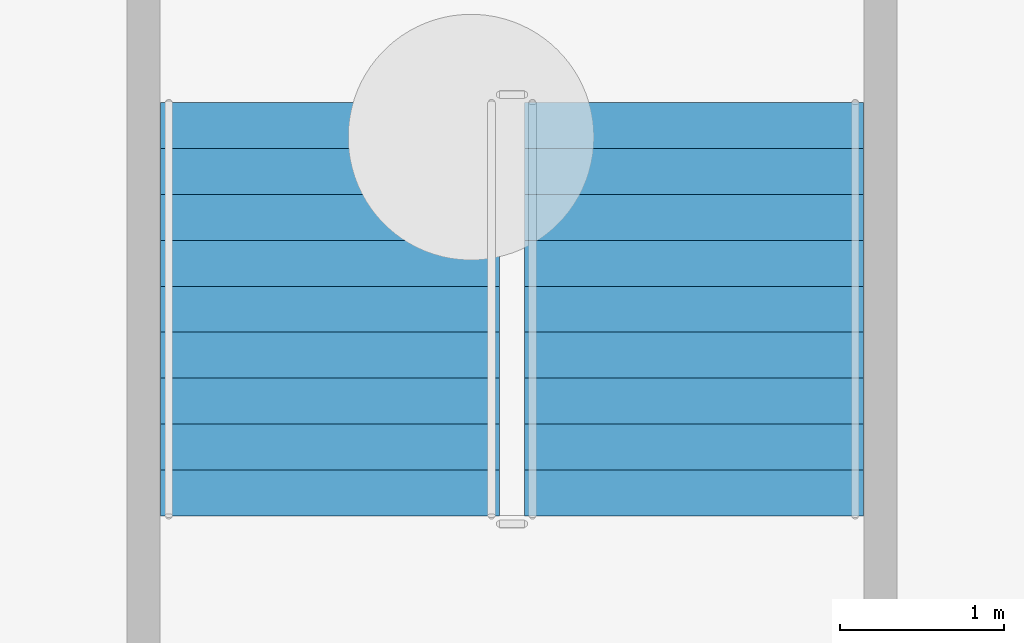
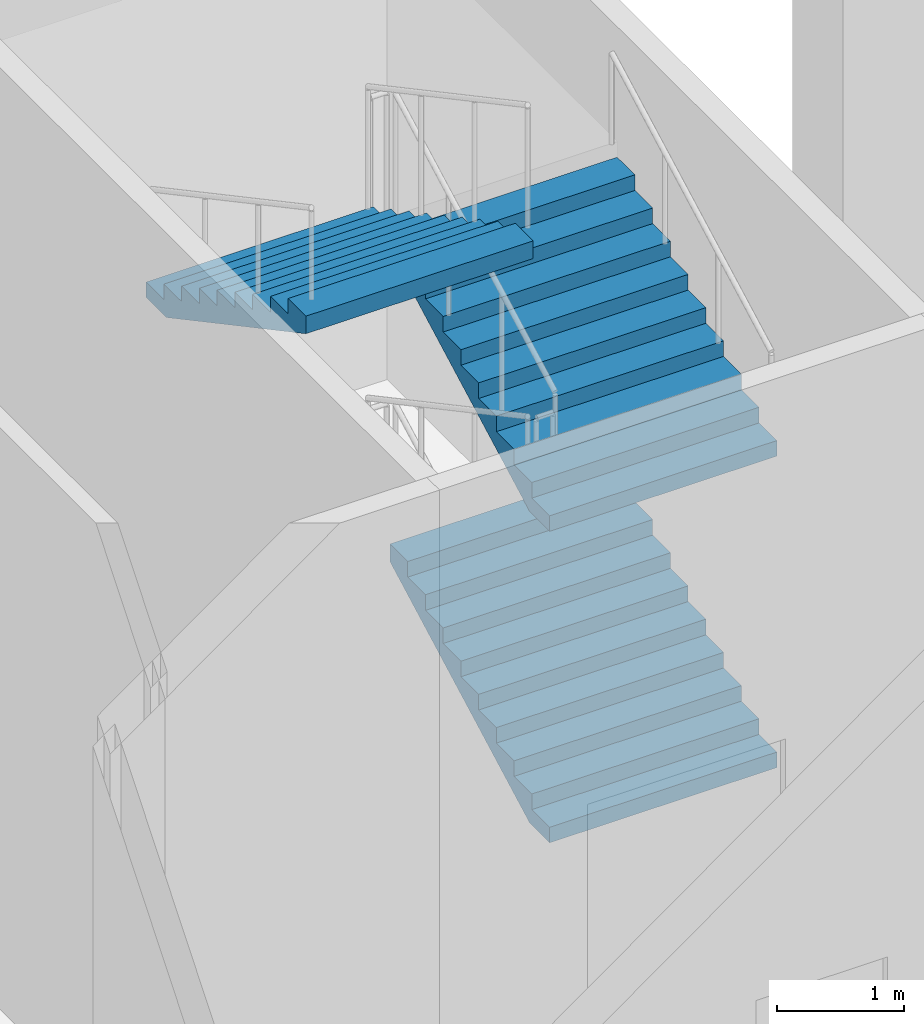
# One storey, part 19 of 25: 3 stair flights, 1 element without a shape of its own.
"""IFC4 building model written with IfcOpenShell, lengths in metres."""

from ifc_helpers import new_model, si_unit, direction, frame, origin, place, context, subcontext, project, spatial, polygons, material, type_object, element, aggregate, save


model = new_model("IFC4")

# Units and contexts
model_context = context("Model", 3, precision=1e-05, world=origin(), true_north=direction((0.0, 1.0)))
body_context = subcontext(model_context, "Body", "Model", "MODEL_VIEW")
ifc_project = project(units=[si_unit("LENGTHUNIT", "METRE"), si_unit("AREAUNIT", "SQUARE_METRE"), si_unit("VOLUMEUNIT", "CUBIC_METRE"), si_unit("PLANEANGLEUNIT", "RADIAN"), si_unit("MASSUNIT", "GRAM", prefix="KILO")], contexts=[model_context])

# Site, building, storey
site_placement = place(None, origin())
site = spatial("IfcSite", under=ifc_project, at=site_placement, CompositionType="ELEMENT")
building_placement = place(site_placement, origin())
building = spatial("IfcBuilding", under=site, at=building_placement, Name="Caravel Reach Hotel and Residences", CompositionType="ELEMENT")
storey_placement = place(building_placement, frame((0.0, 0.0, -6.0)))
storey = spatial("IfcBuildingStorey", under=building, at=storey_placement, Name="B1", CompositionType="ELEMENT", Elevation=-6.0)

# Stair, stair flights
ifc_material_1 = material(Name="Concrete C40", Category="concrete")
stair_type = type_object("IfcStairType", Name="Core stair", PredefinedType="HALF_TURN_STAIR", material=ifc_material_1)
stair_placement = place(storey_placement, origin())
stair = element("IfcStair", 1, at=stair_placement, inside=storey, type_object=stair_type, Name="B1 Exit stair P6", PredefinedType="HALF_TURN_STAIR")
ifc_material_2 = material(Name="Concrete C40", Category="concrete")
stair_flight_type = type_object("IfcStairFlightType", Name="Core stair flight", PredefinedType="STRAIGHT", material=ifc_material_2)
stair_flight_1_placement = place(storey_placement, frame((64.360107421875, 42.68994140625, 0.0), z_axis=(0.0, 0.0, 1.0), x_axis=(0.0, 1.0, 0.0)))
stair_flight_1 = element("IfcStairFlight", 2, at=stair_flight_1_placement, type_object=stair_flight_type, Name="ST-P6 flight 1", NumberOfRisers=10, NumberOfTreads=9, PredefinedType="STRAIGHT", RiserHeight=0.15, TreadLength=0.28, context=body_context, shape_type="Tessellation", body=[
    polygons([(0.3174408016601862, 1.0350341796875, 0.0), (0.3174408016601862, 0.6900227864583333, 0.0), (0.3174408016601862, 0.34501139322916663, 0.0), (0.3174408016601862, 0.0, 0.0), (0.3174408016601862, -0.34501139322916674, 0.0), (0.3174408016601862, -0.6900227864583333, 0.0), (0.3174408016601862, -1.0350341796875, 0.0), (2.5210000000000004, 1.0350341796875, 1.1799424276820432), (2.5210000000000004, 0.6900227864583333, 1.1799424276820432), (2.5210000000000004, 0.34501139322916663, 1.1799424276820432), (2.5210000000000004, 0.0, 1.1799424276820432), (2.5210000000000004, -0.34501139322916674, 1.1799424276820432), (2.5210000000000004, -0.6900227864583333, 1.1799424276820432), (2.5210000000000004, -1.0350341796875, 1.1799424276820432), (2.5210000000000004, 1.0350341796875, 1.3499999999999999), (2.5210000000000004, 0.6900227864583333, 1.3499999999999999), (2.5210000000000004, 0.34501139322916663, 1.3499999999999999), (2.5210000000000004, 0.0, 1.3499999999999999), (2.5210000000000004, -0.34501139322916674, 1.3499999999999999), (2.5210000000000004, -0.6900227864583333, 1.3499999999999999), (2.5210000000000004, -1.0350341796875, 1.3499999999999999), (2.24, 1.0350341796875, 1.3499999999999999), (2.24, 0.6900227864583333, 1.3499999999999999), (2.24, 0.34501139322916663, 1.3499999999999999), (2.24, 0.0, 1.3499999999999999), (2.24, -0.34501139322916674, 1.3499999999999999), (2.24, -0.6900227864583333, 1.3499999999999999), (2.24, -1.0350341796875, 1.3499999999999999), (2.24, 1.0350341796875, 1.2), (2.24, 0.6900227864583333, 1.2), (2.24, 0.34501139322916663, 1.2), (2.24, 0.0, 1.2), (2.24, -0.34501139322916674, 1.2), (2.24, -0.6900227864583333, 1.2), (2.24, -1.0350341796875, 1.2), (1.9600000000000002, 1.0350341796875, 1.2), (1.9600000000000002, 0.6900227864583333, 1.2), (1.9600000000000002, 0.34501139322916663, 1.2), (1.9600000000000002, 0.0, 1.2), (1.9600000000000002, -0.34501139322916674, 1.2), (1.9600000000000002, -0.6900227864583333, 1.2), (1.9600000000000002, -1.0350341796875, 1.2), (1.9600000000000002, 1.0350341796875, 1.05), (1.9600000000000002, 0.6900227864583333, 1.05), (1.9600000000000002, 0.34501139322916663, 1.05), (1.9600000000000002, 0.0, 1.05), (1.9600000000000002, -0.34501139322916674, 1.05), (1.9600000000000002, -0.6900227864583333, 1.05), (1.9600000000000002, -1.0350341796875, 1.05), (1.6800000000000002, 1.0350341796875, 1.05), (1.6800000000000002, 0.6900227864583333, 1.05), (1.6800000000000002, 0.34501139322916663, 1.05), (1.6800000000000002, 0.0, 1.05), (1.6800000000000002, -0.34501139322916674, 1.05), (1.6800000000000002, -0.6900227864583333, 1.05), (1.6800000000000002, -1.0350341796875, 1.05), (1.6800000000000002, 1.0350341796875, 0.8999999999999999), (1.6800000000000002, 0.6900227864583333, 0.8999999999999999), (1.6800000000000002, 0.34501139322916663, 0.8999999999999999), (1.6800000000000002, 0.0, 0.8999999999999999), (1.6800000000000002, -0.34501139322916674, 0.8999999999999999), (1.6800000000000002, -0.6900227864583333, 0.8999999999999999), (1.6800000000000002, -1.0350341796875, 0.8999999999999999), (1.4000000000000001, 1.0350341796875, 0.8999999999999999), (1.4000000000000001, 0.6900227864583333, 0.8999999999999999), (1.4000000000000001, 0.34501139322916663, 0.8999999999999999), (1.4000000000000001, 0.0, 0.8999999999999999), (1.4000000000000001, -0.34501139322916674, 0.8999999999999999), (1.4000000000000001, -0.6900227864583333, 0.8999999999999999), (1.4000000000000001, -1.0350341796875, 0.8999999999999999), (1.4000000000000001, 1.0350341796875, 0.75), (1.4000000000000001, 0.6900227864583333, 0.75), (1.4000000000000001, 0.34501139322916663, 0.75), (1.4000000000000001, 0.0, 0.75), (1.4000000000000001, -0.34501139322916674, 0.75), (1.4000000000000001, -0.6900227864583333, 0.75), (1.4000000000000001, -1.0350341796875, 0.75), (1.12, 1.0350341796875, 0.75), (1.12, 0.6900227864583333, 0.75), (1.12, 0.34501139322916663, 0.75), (1.12, 0.0, 0.75), (1.12, -0.34501139322916674, 0.75), (1.12, -0.6900227864583333, 0.75), (1.12, -1.0350341796875, 0.75), (1.12, 1.0350341796875, 0.6), (1.12, 0.6900227864583333, 0.6), (1.12, 0.34501139322916663, 0.6), (1.12, 0.0, 0.6), (1.12, -0.34501139322916674, 0.6), (1.12, -0.6900227864583333, 0.6), (1.12, -1.0350341796875, 0.6), (0.8400000000000001, 1.0350341796875, 0.6), (0.8400000000000001, 0.6900227864583333, 0.6), (0.8400000000000001, 0.34501139322916663, 0.6), (0.8400000000000001, 0.0, 0.6), (0.8400000000000001, -0.34501139322916674, 0.6), (0.8400000000000001, -0.6900227864583333, 0.6), (0.8400000000000001, -1.0350341796875, 0.6), (0.8400000000000001, 1.0350341796875, 0.44999999999999996), (0.8400000000000001, 0.6900227864583333, 0.44999999999999996), (0.8400000000000001, 0.34501139322916663, 0.44999999999999996), (0.8400000000000001, 0.0, 0.44999999999999996), (0.8400000000000001, -0.34501139322916674, 0.44999999999999996), (0.8400000000000001, -0.6900227864583333, 0.44999999999999996), (0.8400000000000001, -1.0350341796875, 0.44999999999999996), (0.56, 1.0350341796875, 0.44999999999999996), (0.56, 0.6900227864583333, 0.44999999999999996), (0.56, 0.34501139322916663, 0.44999999999999996), (0.56, 0.0, 0.44999999999999996), (0.56, -0.34501139322916674, 0.44999999999999996), (0.56, -0.6900227864583333, 0.44999999999999996), (0.56, -1.0350341796875, 0.44999999999999996), (0.56, 1.0350341796875, 0.3), (0.56, 0.6900227864583333, 0.3), (0.56, 0.34501139322916663, 0.3), (0.56, 0.0, 0.3), (0.56, -0.34501139322916674, 0.3), (0.56, -0.6900227864583333, 0.3), (0.56, -1.0350341796875, 0.3), (0.28, 1.0350341796875, 0.3), (0.28, 0.6900227864583333, 0.3), (0.28, 0.34501139322916663, 0.3), (0.28, 0.0, 0.3), (0.28, -0.34501139322916674, 0.3), (0.28, -0.6900227864583333, 0.3), (0.28, -1.0350341796875, 0.3), (0.28, 1.0350341796875, 0.15), (0.28, 0.6900227864583333, 0.15), (0.28, 0.34501139322916663, 0.15), (0.28, 0.0, 0.15), (0.28, -0.34501139322916674, 0.15), (0.28, -0.6900227864583333, 0.15), (0.28, -1.0350341796875, 0.15), (-0.001, 1.0350341796875, 0.15), (-0.001, 0.6900227864583333, 0.15), (-0.001, 0.34501139322916663, 0.15), (-0.001, 0.0, 0.15), (-0.001, -0.34501139322916674, 0.15), (-0.001, -0.6900227864583333, 0.15), (-0.001, -1.0350341796875, 0.15), (-0.001, 1.0350341796875, 0.0), (-0.001, 0.6900227864583333, 0.0), (-0.001, 0.34501139322916663, 0.0), (-0.001, 0.0, 0.0), (-0.001, -0.34501139322916674, 0.0), (-0.001, -0.6900227864583333, 0.0), (-0.001, -1.0350341796875, 0.0)], [[[141, 134, 127, 120, 113, 106, 99, 92, 85, 78, 71, 64, 57, 50, 43, 36, 29, 22, 15, 8, 1]], [[7, 14, 21, 28, 35, 42, 49, 56, 63, 70, 77, 84, 91, 98, 105, 112, 119, 126, 133, 140, 147]], [[1, 8, 9, 2]], [[2, 9, 10, 3]], [[3, 10, 11, 4]], [[4, 11, 12, 5]], [[5, 12, 13, 6]], [[6, 13, 14, 7]], [[8, 15, 16, 9]], [[9, 16, 17, 10]], [[10, 17, 18, 11]], [[11, 18, 19, 12]], [[12, 19, 20, 13]], [[13, 20, 21, 14]], [[15, 22, 23, 16]], [[16, 23, 24, 17]], [[17, 24, 25, 18]], [[18, 25, 26, 19]], [[19, 26, 27, 20]], [[20, 27, 28, 21]], [[22, 29, 30, 23]], [[23, 30, 31, 24]], [[24, 31, 32, 25]], [[25, 32, 33, 26]], [[26, 33, 34, 27]], [[27, 34, 35, 28]], [[29, 36, 37, 30]], [[30, 37, 38, 31]], [[31, 38, 39, 32]], [[32, 39, 40, 33]], [[33, 40, 41, 34]], [[34, 41, 42, 35]], [[36, 43, 44, 37]], [[37, 44, 45, 38]], [[38, 45, 46, 39]], [[39, 46, 47, 40]], [[40, 47, 48, 41]], [[41, 48, 49, 42]], [[43, 50, 51, 44]], [[44, 51, 52, 45]], [[45, 52, 53, 46]], [[46, 53, 54, 47]], [[47, 54, 55, 48]], [[48, 55, 56, 49]], [[50, 57, 58, 51]], [[51, 58, 59, 52]], [[52, 59, 60, 53]], [[53, 60, 61, 54]], [[54, 61, 62, 55]], [[55, 62, 63, 56]], [[57, 64, 65, 58]], [[58, 65, 66, 59]], [[59, 66, 67, 60]], [[60, 67, 68, 61]], [[61, 68, 69, 62]], [[62, 69, 70, 63]], [[64, 71, 72, 65]], [[65, 72, 73, 66]], [[66, 73, 74, 67]], [[67, 74, 75, 68]], [[68, 75, 76, 69]], [[69, 76, 77, 70]], [[71, 78, 79, 72]], [[72, 79, 80, 73]], [[73, 80, 81, 74]], [[74, 81, 82, 75]], [[75, 82, 83, 76]], [[76, 83, 84, 77]], [[78, 85, 86, 79]], [[79, 86, 87, 80]], [[80, 87, 88, 81]], [[81, 88, 89, 82]], [[82, 89, 90, 83]], [[83, 90, 91, 84]], [[85, 92, 93, 86]], [[86, 93, 94, 87]], [[87, 94, 95, 88]], [[88, 95, 96, 89]], [[89, 96, 97, 90]], [[90, 97, 98, 91]], [[92, 99, 100, 93]], [[93, 100, 101, 94]], [[94, 101, 102, 95]], [[95, 102, 103, 96]], [[96, 103, 104, 97]], [[97, 104, 105, 98]], [[99, 106, 107, 100]], [[100, 107, 108, 101]], [[101, 108, 109, 102]], [[102, 109, 110, 103]], [[103, 110, 111, 104]], [[104, 111, 112, 105]], [[106, 113, 114, 107]], [[107, 114, 115, 108]], [[108, 115, 116, 109]], [[109, 116, 117, 110]], [[110, 117, 118, 111]], [[111, 118, 119, 112]], [[113, 120, 121, 114]], [[114, 121, 122, 115]], [[115, 122, 123, 116]], [[116, 123, 124, 117]], [[117, 124, 125, 118]], [[118, 125, 126, 119]], [[120, 127, 128, 121]], [[121, 128, 129, 122]], [[122, 129, 130, 123]], [[123, 130, 131, 124]], [[124, 131, 132, 125]], [[125, 132, 133, 126]], [[127, 134, 135, 128]], [[128, 135, 136, 129]], [[129, 136, 137, 130]], [[130, 137, 138, 131]], [[131, 138, 139, 132]], [[132, 139, 140, 133]], [[134, 141, 142, 135]], [[135, 142, 143, 136]], [[136, 143, 144, 137]], [[137, 144, 145, 138]], [[138, 145, 146, 139]], [[139, 146, 147, 140]], [[141, 1, 2, 142]], [[142, 2, 3, 143]], [[143, 3, 4, 144]], [[144, 4, 5, 145]], [[145, 5, 6, 146]], [[146, 6, 7, 147]]], closed=True),
])
stair_flight_2_placement = place(storey_placement, frame((64.360107421875, 42.68994140625, 3.0), z_axis=(0.0, 0.0, 1.0), x_axis=(0.0, 1.0, 0.0)))
stair_flight_2 = element("IfcStairFlight", 3, at=stair_flight_2_placement, type_object=stair_flight_type, Name="ST-P6 flight 3", NumberOfRisers=10, NumberOfTreads=9, PredefinedType="STRAIGHT", RiserHeight=0.15, TreadLength=0.28, context=body_context, shape_type="Tessellation", body=[
    polygons([(0.3174408016601862, 1.0350341796875, 0.0), (0.3174408016601862, 0.6900227864583333, 0.0), (0.3174408016601862, 0.34501139322916663, 0.0), (0.3174408016601862, 0.0, 0.0), (0.3174408016601862, -0.34501139322916674, 0.0), (0.3174408016601862, -0.6900227864583333, 0.0), (0.3174408016601862, -1.0350341796875, 0.0), (2.5210000000000004, 1.0350341796875, 1.1799424276820432), (2.5210000000000004, 0.6900227864583333, 1.1799424276820432), (2.5210000000000004, 0.34501139322916663, 1.1799424276820432), (2.5210000000000004, 0.0, 1.1799424276820432), (2.5210000000000004, -0.34501139322916674, 1.1799424276820432), (2.5210000000000004, -0.6900227864583333, 1.1799424276820432), (2.5210000000000004, -1.0350341796875, 1.1799424276820432), (2.5210000000000004, 1.0350341796875, 1.3499999999999999), (2.5210000000000004, 0.6900227864583333, 1.3499999999999999), (2.5210000000000004, 0.34501139322916663, 1.3499999999999999), (2.5210000000000004, 0.0, 1.3499999999999999), (2.5210000000000004, -0.34501139322916674, 1.3499999999999999), (2.5210000000000004, -0.6900227864583333, 1.3499999999999999), (2.5210000000000004, -1.0350341796875, 1.3499999999999999), (2.24, 1.0350341796875, 1.3499999999999999), (2.24, 0.6900227864583333, 1.3499999999999999), (2.24, 0.34501139322916663, 1.3499999999999999), (2.24, 0.0, 1.3499999999999999), (2.24, -0.34501139322916674, 1.3499999999999999), (2.24, -0.6900227864583333, 1.3499999999999999), (2.24, -1.0350341796875, 1.3499999999999999), (2.24, 1.0350341796875, 1.2), (2.24, 0.6900227864583333, 1.2), (2.24, 0.34501139322916663, 1.2), (2.24, 0.0, 1.2), (2.24, -0.34501139322916674, 1.2), (2.24, -0.6900227864583333, 1.2), (2.24, -1.0350341796875, 1.2), (1.9600000000000002, 1.0350341796875, 1.2), (1.9600000000000002, 0.6900227864583333, 1.2), (1.9600000000000002, 0.34501139322916663, 1.2), (1.9600000000000002, 0.0, 1.2), (1.9600000000000002, -0.34501139322916674, 1.2), (1.9600000000000002, -0.6900227864583333, 1.2), (1.9600000000000002, -1.0350341796875, 1.2), (1.9600000000000002, 1.0350341796875, 1.05), (1.9600000000000002, 0.6900227864583333, 1.05), (1.9600000000000002, 0.34501139322916663, 1.05), (1.9600000000000002, 0.0, 1.05), (1.9600000000000002, -0.34501139322916674, 1.05), (1.9600000000000002, -0.6900227864583333, 1.05), (1.9600000000000002, -1.0350341796875, 1.05), (1.6800000000000002, 1.0350341796875, 1.05), (1.6800000000000002, 0.6900227864583333, 1.05), (1.6800000000000002, 0.34501139322916663, 1.05), (1.6800000000000002, 0.0, 1.05), (1.6800000000000002, -0.34501139322916674, 1.05), (1.6800000000000002, -0.6900227864583333, 1.05), (1.6800000000000002, -1.0350341796875, 1.05), (1.6800000000000002, 1.0350341796875, 0.8999999999999999), (1.6800000000000002, 0.6900227864583333, 0.8999999999999999), (1.6800000000000002, 0.34501139322916663, 0.8999999999999999), (1.6800000000000002, 0.0, 0.8999999999999999), (1.6800000000000002, -0.34501139322916674, 0.8999999999999999), (1.6800000000000002, -0.6900227864583333, 0.8999999999999999), (1.6800000000000002, -1.0350341796875, 0.8999999999999999), (1.4000000000000001, 1.0350341796875, 0.8999999999999999), (1.4000000000000001, 0.6900227864583333, 0.8999999999999999), (1.4000000000000001, 0.34501139322916663, 0.8999999999999999), (1.4000000000000001, 0.0, 0.8999999999999999), (1.4000000000000001, -0.34501139322916674, 0.8999999999999999), (1.4000000000000001, -0.6900227864583333, 0.8999999999999999), (1.4000000000000001, -1.0350341796875, 0.8999999999999999), (1.4000000000000001, 1.0350341796875, 0.75), (1.4000000000000001, 0.6900227864583333, 0.75), (1.4000000000000001, 0.34501139322916663, 0.75), (1.4000000000000001, 0.0, 0.75), (1.4000000000000001, -0.34501139322916674, 0.75), (1.4000000000000001, -0.6900227864583333, 0.75), (1.4000000000000001, -1.0350341796875, 0.75), (1.12, 1.0350341796875, 0.75), (1.12, 0.6900227864583333, 0.75), (1.12, 0.34501139322916663, 0.75), (1.12, 0.0, 0.75), (1.12, -0.34501139322916674, 0.75), (1.12, -0.6900227864583333, 0.75), (1.12, -1.0350341796875, 0.75), (1.12, 1.0350341796875, 0.6), (1.12, 0.6900227864583333, 0.6), (1.12, 0.34501139322916663, 0.6), (1.12, 0.0, 0.6), (1.12, -0.34501139322916674, 0.6), (1.12, -0.6900227864583333, 0.6), (1.12, -1.0350341796875, 0.6), (0.8400000000000001, 1.0350341796875, 0.6), (0.8400000000000001, 0.6900227864583333, 0.6), (0.8400000000000001, 0.34501139322916663, 0.6), (0.8400000000000001, 0.0, 0.6), (0.8400000000000001, -0.34501139322916674, 0.6), (0.8400000000000001, -0.6900227864583333, 0.6), (0.8400000000000001, -1.0350341796875, 0.6), (0.8400000000000001, 1.0350341796875, 0.44999999999999996), (0.8400000000000001, 0.6900227864583333, 0.44999999999999996), (0.8400000000000001, 0.34501139322916663, 0.44999999999999996), (0.8400000000000001, 0.0, 0.44999999999999996), (0.8400000000000001, -0.34501139322916674, 0.44999999999999996), (0.8400000000000001, -0.6900227864583333, 0.44999999999999996), (0.8400000000000001, -1.0350341796875, 0.44999999999999996), (0.56, 1.0350341796875, 0.44999999999999996), (0.56, 0.6900227864583333, 0.44999999999999996), (0.56, 0.34501139322916663, 0.44999999999999996), (0.56, 0.0, 0.44999999999999996), (0.56, -0.34501139322916674, 0.44999999999999996), (0.56, -0.6900227864583333, 0.44999999999999996), (0.56, -1.0350341796875, 0.44999999999999996), (0.56, 1.0350341796875, 0.3), (0.56, 0.6900227864583333, 0.3), (0.56, 0.34501139322916663, 0.3), (0.56, 0.0, 0.3), (0.56, -0.34501139322916674, 0.3), (0.56, -0.6900227864583333, 0.3), (0.56, -1.0350341796875, 0.3), (0.28, 1.0350341796875, 0.3), (0.28, 0.6900227864583333, 0.3), (0.28, 0.34501139322916663, 0.3), (0.28, 0.0, 0.3), (0.28, -0.34501139322916674, 0.3), (0.28, -0.6900227864583333, 0.3), (0.28, -1.0350341796875, 0.3), (0.28, 1.0350341796875, 0.15), (0.28, 0.6900227864583333, 0.15), (0.28, 0.34501139322916663, 0.15), (0.28, 0.0, 0.15), (0.28, -0.34501139322916674, 0.15), (0.28, -0.6900227864583333, 0.15), (0.28, -1.0350341796875, 0.15), (-0.001, 1.0350341796875, 0.15), (-0.001, 0.6900227864583333, 0.15), (-0.001, 0.34501139322916663, 0.15), (-0.001, 0.0, 0.15), (-0.001, -0.34501139322916674, 0.15), (-0.001, -0.6900227864583333, 0.15), (-0.001, -1.0350341796875, 0.15), (-0.001, 1.0350341796875, 0.0), (-0.001, 0.6900227864583333, 0.0), (-0.001, 0.34501139322916663, 0.0), (-0.001, 0.0, 0.0), (-0.001, -0.34501139322916674, 0.0), (-0.001, -0.6900227864583333, 0.0), (-0.001, -1.0350341796875, 0.0)], [[[141, 134, 127, 120, 113, 106, 99, 92, 85, 78, 71, 64, 57, 50, 43, 36, 29, 22, 15, 8, 1]], [[7, 14, 21, 28, 35, 42, 49, 56, 63, 70, 77, 84, 91, 98, 105, 112, 119, 126, 133, 140, 147]], [[1, 8, 9, 2]], [[2, 9, 10, 3]], [[3, 10, 11, 4]], [[4, 11, 12, 5]], [[5, 12, 13, 6]], [[6, 13, 14, 7]], [[8, 15, 16, 9]], [[9, 16, 17, 10]], [[10, 17, 18, 11]], [[11, 18, 19, 12]], [[12, 19, 20, 13]], [[13, 20, 21, 14]], [[15, 22, 23, 16]], [[16, 23, 24, 17]], [[17, 24, 25, 18]], [[18, 25, 26, 19]], [[19, 26, 27, 20]], [[20, 27, 28, 21]], [[22, 29, 30, 23]], [[23, 30, 31, 24]], [[24, 31, 32, 25]], [[25, 32, 33, 26]], [[26, 33, 34, 27]], [[27, 34, 35, 28]], [[29, 36, 37, 30]], [[30, 37, 38, 31]], [[31, 38, 39, 32]], [[32, 39, 40, 33]], [[33, 40, 41, 34]], [[34, 41, 42, 35]], [[36, 43, 44, 37]], [[37, 44, 45, 38]], [[38, 45, 46, 39]], [[39, 46, 47, 40]], [[40, 47, 48, 41]], [[41, 48, 49, 42]], [[43, 50, 51, 44]], [[44, 51, 52, 45]], [[45, 52, 53, 46]], [[46, 53, 54, 47]], [[47, 54, 55, 48]], [[48, 55, 56, 49]], [[50, 57, 58, 51]], [[51, 58, 59, 52]], [[52, 59, 60, 53]], [[53, 60, 61, 54]], [[54, 61, 62, 55]], [[55, 62, 63, 56]], [[57, 64, 65, 58]], [[58, 65, 66, 59]], [[59, 66, 67, 60]], [[60, 67, 68, 61]], [[61, 68, 69, 62]], [[62, 69, 70, 63]], [[64, 71, 72, 65]], [[65, 72, 73, 66]], [[66, 73, 74, 67]], [[67, 74, 75, 68]], [[68, 75, 76, 69]], [[69, 76, 77, 70]], [[71, 78, 79, 72]], [[72, 79, 80, 73]], [[73, 80, 81, 74]], [[74, 81, 82, 75]], [[75, 82, 83, 76]], [[76, 83, 84, 77]], [[78, 85, 86, 79]], [[79, 86, 87, 80]], [[80, 87, 88, 81]], [[81, 88, 89, 82]], [[82, 89, 90, 83]], [[83, 90, 91, 84]], [[85, 92, 93, 86]], [[86, 93, 94, 87]], [[87, 94, 95, 88]], [[88, 95, 96, 89]], [[89, 96, 97, 90]], [[90, 97, 98, 91]], [[92, 99, 100, 93]], [[93, 100, 101, 94]], [[94, 101, 102, 95]], [[95, 102, 103, 96]], [[96, 103, 104, 97]], [[97, 104, 105, 98]], [[99, 106, 107, 100]], [[100, 107, 108, 101]], [[101, 108, 109, 102]], [[102, 109, 110, 103]], [[103, 110, 111, 104]], [[104, 111, 112, 105]], [[106, 113, 114, 107]], [[107, 114, 115, 108]], [[108, 115, 116, 109]], [[109, 116, 117, 110]], [[110, 117, 118, 111]], [[111, 118, 119, 112]], [[113, 120, 121, 114]], [[114, 121, 122, 115]], [[115, 122, 123, 116]], [[116, 123, 124, 117]], [[117, 124, 125, 118]], [[118, 125, 126, 119]], [[120, 127, 128, 121]], [[121, 128, 129, 122]], [[122, 129, 130, 123]], [[123, 130, 131, 124]], [[124, 131, 132, 125]], [[125, 132, 133, 126]], [[127, 134, 135, 128]], [[128, 135, 136, 129]], [[129, 136, 137, 130]], [[130, 137, 138, 131]], [[131, 138, 139, 132]], [[132, 139, 140, 133]], [[134, 141, 142, 135]], [[135, 142, 143, 136]], [[136, 143, 144, 137]], [[137, 144, 145, 138]], [[138, 145, 146, 139]], [[139, 146, 147, 140]], [[141, 1, 2, 142]], [[142, 2, 3, 143]], [[143, 3, 4, 144]], [[144, 4, 5, 145]], [[145, 5, 6, 146]], [[146, 6, 7, 147]]], closed=True),
])
stair_flight_3_placement = place(storey_placement, frame((62.139892578125, 45.2099609375, 4.5), z_axis=(0.0, 0.0, 1.0), x_axis=(0.0, -1.0, 0.0)))
stair_flight_3 = element("IfcStairFlight", 4, at=stair_flight_3_placement, type_object=stair_flight_type, Name="ST-P6 flight 4", NumberOfRisers=10, NumberOfTreads=9, PredefinedType="STRAIGHT", RiserHeight=0.15, TreadLength=0.28, context=body_context, shape_type="Tessellation", body=[
    polygons([(0.3174408016601862, 1.0350341796875, 0.0), (0.3174408016601862, 0.6900227864583333, 0.0), (0.3174408016601862, 0.34501139322916663, 0.0), (0.3174408016601862, 0.0, 0.0), (0.3174408016601862, -0.34501139322916674, 0.0), (0.3174408016601862, -0.6900227864583333, 0.0), (0.3174408016601862, -1.0350341796875, 0.0), (2.5210000000000004, 1.0350341796875, 1.1799424276820432), (2.5210000000000004, 0.6900227864583333, 1.1799424276820432), (2.5210000000000004, 0.34501139322916663, 1.1799424276820432), (2.5210000000000004, 0.0, 1.1799424276820432), (2.5210000000000004, -0.34501139322916674, 1.1799424276820432), (2.5210000000000004, -0.6900227864583333, 1.1799424276820432), (2.5210000000000004, -1.0350341796875, 1.1799424276820432), (2.5210000000000004, 1.0350341796875, 1.3499999999999999), (2.5210000000000004, 0.6900227864583333, 1.3499999999999999), (2.5210000000000004, 0.34501139322916663, 1.3499999999999999), (2.5210000000000004, 0.0, 1.3499999999999999), (2.5210000000000004, -0.34501139322916674, 1.3499999999999999), (2.5210000000000004, -0.6900227864583333, 1.3499999999999999), (2.5210000000000004, -1.0350341796875, 1.3499999999999999), (2.24, 1.0350341796875, 1.3499999999999999), (2.24, 0.6900227864583333, 1.3499999999999999), (2.24, 0.34501139322916663, 1.3499999999999999), (2.24, 0.0, 1.3499999999999999), (2.24, -0.34501139322916674, 1.3499999999999999), (2.24, -0.6900227864583333, 1.3499999999999999), (2.24, -1.0350341796875, 1.3499999999999999), (2.24, 1.0350341796875, 1.2), (2.24, 0.6900227864583333, 1.2), (2.24, 0.34501139322916663, 1.2), (2.24, 0.0, 1.2), (2.24, -0.34501139322916674, 1.2), (2.24, -0.6900227864583333, 1.2), (2.24, -1.0350341796875, 1.2), (1.9600000000000002, 1.0350341796875, 1.2), (1.9600000000000002, 0.6900227864583333, 1.2), (1.9600000000000002, 0.34501139322916663, 1.2), (1.9600000000000002, 0.0, 1.2), (1.9600000000000002, -0.34501139322916674, 1.2), (1.9600000000000002, -0.6900227864583333, 1.2), (1.9600000000000002, -1.0350341796875, 1.2), (1.9600000000000002, 1.0350341796875, 1.05), (1.9600000000000002, 0.6900227864583333, 1.05), (1.9600000000000002, 0.34501139322916663, 1.05), (1.9600000000000002, 0.0, 1.05), (1.9600000000000002, -0.34501139322916674, 1.05), (1.9600000000000002, -0.6900227864583333, 1.05), (1.9600000000000002, -1.0350341796875, 1.05), (1.6800000000000002, 1.0350341796875, 1.05), (1.6800000000000002, 0.6900227864583333, 1.05), (1.6800000000000002, 0.34501139322916663, 1.05), (1.6800000000000002, 0.0, 1.05), (1.6800000000000002, -0.34501139322916674, 1.05), (1.6800000000000002, -0.6900227864583333, 1.05), (1.6800000000000002, -1.0350341796875, 1.05), (1.6800000000000002, 1.0350341796875, 0.8999999999999999), (1.6800000000000002, 0.6900227864583333, 0.8999999999999999), (1.6800000000000002, 0.34501139322916663, 0.8999999999999999), (1.6800000000000002, 0.0, 0.8999999999999999), (1.6800000000000002, -0.34501139322916674, 0.8999999999999999), (1.6800000000000002, -0.6900227864583333, 0.8999999999999999), (1.6800000000000002, -1.0350341796875, 0.8999999999999999), (1.4000000000000001, 1.0350341796875, 0.8999999999999999), (1.4000000000000001, 0.6900227864583333, 0.8999999999999999), (1.4000000000000001, 0.34501139322916663, 0.8999999999999999), (1.4000000000000001, 0.0, 0.8999999999999999), (1.4000000000000001, -0.34501139322916674, 0.8999999999999999), (1.4000000000000001, -0.6900227864583333, 0.8999999999999999), (1.4000000000000001, -1.0350341796875, 0.8999999999999999), (1.4000000000000001, 1.0350341796875, 0.75), (1.4000000000000001, 0.6900227864583333, 0.75), (1.4000000000000001, 0.34501139322916663, 0.75), (1.4000000000000001, 0.0, 0.75), (1.4000000000000001, -0.34501139322916674, 0.75), (1.4000000000000001, -0.6900227864583333, 0.75), (1.4000000000000001, -1.0350341796875, 0.75), (1.12, 1.0350341796875, 0.75), (1.12, 0.6900227864583333, 0.75), (1.12, 0.34501139322916663, 0.75), (1.12, 0.0, 0.75), (1.12, -0.34501139322916674, 0.75), (1.12, -0.6900227864583333, 0.75), (1.12, -1.0350341796875, 0.75), (1.12, 1.0350341796875, 0.6), (1.12, 0.6900227864583333, 0.6), (1.12, 0.34501139322916663, 0.6), (1.12, 0.0, 0.6), (1.12, -0.34501139322916674, 0.6), (1.12, -0.6900227864583333, 0.6), (1.12, -1.0350341796875, 0.6), (0.8400000000000001, 1.0350341796875, 0.6), (0.8400000000000001, 0.6900227864583333, 0.6), (0.8400000000000001, 0.34501139322916663, 0.6), (0.8400000000000001, 0.0, 0.6), (0.8400000000000001, -0.34501139322916674, 0.6), (0.8400000000000001, -0.6900227864583333, 0.6), (0.8400000000000001, -1.0350341796875, 0.6), (0.8400000000000001, 1.0350341796875, 0.44999999999999996), (0.8400000000000001, 0.6900227864583333, 0.44999999999999996), (0.8400000000000001, 0.34501139322916663, 0.44999999999999996), (0.8400000000000001, 0.0, 0.44999999999999996), (0.8400000000000001, -0.34501139322916674, 0.44999999999999996), (0.8400000000000001, -0.6900227864583333, 0.44999999999999996), (0.8400000000000001, -1.0350341796875, 0.44999999999999996), (0.56, 1.0350341796875, 0.44999999999999996), (0.56, 0.6900227864583333, 0.44999999999999996), (0.56, 0.34501139322916663, 0.44999999999999996), (0.56, 0.0, 0.44999999999999996), (0.56, -0.34501139322916674, 0.44999999999999996), (0.56, -0.6900227864583333, 0.44999999999999996), (0.56, -1.0350341796875, 0.44999999999999996), (0.56, 1.0350341796875, 0.3), (0.56, 0.6900227864583333, 0.3), (0.56, 0.34501139322916663, 0.3), (0.56, 0.0, 0.3), (0.56, -0.34501139322916674, 0.3), (0.56, -0.6900227864583333, 0.3), (0.56, -1.0350341796875, 0.3), (0.28, 1.0350341796875, 0.3), (0.28, 0.6900227864583333, 0.3), (0.28, 0.34501139322916663, 0.3), (0.28, 0.0, 0.3), (0.28, -0.34501139322916674, 0.3), (0.28, -0.6900227864583333, 0.3), (0.28, -1.0350341796875, 0.3), (0.28, 1.0350341796875, 0.15), (0.28, 0.6900227864583333, 0.15), (0.28, 0.34501139322916663, 0.15), (0.28, 0.0, 0.15), (0.28, -0.34501139322916674, 0.15), (0.28, -0.6900227864583333, 0.15), (0.28, -1.0350341796875, 0.15), (-0.001, 1.0350341796875, 0.15), (-0.001, 0.6900227864583333, 0.15), (-0.001, 0.34501139322916663, 0.15), (-0.001, 0.0, 0.15), (-0.001, -0.34501139322916674, 0.15), (-0.001, -0.6900227864583333, 0.15), (-0.001, -1.0350341796875, 0.15), (-0.001, 1.0350341796875, 0.0), (-0.001, 0.6900227864583333, 0.0), (-0.001, 0.34501139322916663, 0.0), (-0.001, 0.0, 0.0), (-0.001, -0.34501139322916674, 0.0), (-0.001, -0.6900227864583333, 0.0), (-0.001, -1.0350341796875, 0.0)], [[[141, 134, 127, 120, 113, 106, 99, 92, 85, 78, 71, 64, 57, 50, 43, 36, 29, 22, 15, 8, 1]], [[7, 14, 21, 28, 35, 42, 49, 56, 63, 70, 77, 84, 91, 98, 105, 112, 119, 126, 133, 140, 147]], [[1, 8, 9, 2]], [[2, 9, 10, 3]], [[3, 10, 11, 4]], [[4, 11, 12, 5]], [[5, 12, 13, 6]], [[6, 13, 14, 7]], [[8, 15, 16, 9]], [[9, 16, 17, 10]], [[10, 17, 18, 11]], [[11, 18, 19, 12]], [[12, 19, 20, 13]], [[13, 20, 21, 14]], [[15, 22, 23, 16]], [[16, 23, 24, 17]], [[17, 24, 25, 18]], [[18, 25, 26, 19]], [[19, 26, 27, 20]], [[20, 27, 28, 21]], [[22, 29, 30, 23]], [[23, 30, 31, 24]], [[24, 31, 32, 25]], [[25, 32, 33, 26]], [[26, 33, 34, 27]], [[27, 34, 35, 28]], [[29, 36, 37, 30]], [[30, 37, 38, 31]], [[31, 38, 39, 32]], [[32, 39, 40, 33]], [[33, 40, 41, 34]], [[34, 41, 42, 35]], [[36, 43, 44, 37]], [[37, 44, 45, 38]], [[38, 45, 46, 39]], [[39, 46, 47, 40]], [[40, 47, 48, 41]], [[41, 48, 49, 42]], [[43, 50, 51, 44]], [[44, 51, 52, 45]], [[45, 52, 53, 46]], [[46, 53, 54, 47]], [[47, 54, 55, 48]], [[48, 55, 56, 49]], [[50, 57, 58, 51]], [[51, 58, 59, 52]], [[52, 59, 60, 53]], [[53, 60, 61, 54]], [[54, 61, 62, 55]], [[55, 62, 63, 56]], [[57, 64, 65, 58]], [[58, 65, 66, 59]], [[59, 66, 67, 60]], [[60, 67, 68, 61]], [[61, 68, 69, 62]], [[62, 69, 70, 63]], [[64, 71, 72, 65]], [[65, 72, 73, 66]], [[66, 73, 74, 67]], [[67, 74, 75, 68]], [[68, 75, 76, 69]], [[69, 76, 77, 70]], [[71, 78, 79, 72]], [[72, 79, 80, 73]], [[73, 80, 81, 74]], [[74, 81, 82, 75]], [[75, 82, 83, 76]], [[76, 83, 84, 77]], [[78, 85, 86, 79]], [[79, 86, 87, 80]], [[80, 87, 88, 81]], [[81, 88, 89, 82]], [[82, 89, 90, 83]], [[83, 90, 91, 84]], [[85, 92, 93, 86]], [[86, 93, 94, 87]], [[87, 94, 95, 88]], [[88, 95, 96, 89]], [[89, 96, 97, 90]], [[90, 97, 98, 91]], [[92, 99, 100, 93]], [[93, 100, 101, 94]], [[94, 101, 102, 95]], [[95, 102, 103, 96]], [[96, 103, 104, 97]], [[97, 104, 105, 98]], [[99, 106, 107, 100]], [[100, 107, 108, 101]], [[101, 108, 109, 102]], [[102, 109, 110, 103]], [[103, 110, 111, 104]], [[104, 111, 112, 105]], [[106, 113, 114, 107]], [[107, 114, 115, 108]], [[108, 115, 116, 109]], [[109, 116, 117, 110]], [[110, 117, 118, 111]], [[111, 118, 119, 112]], [[113, 120, 121, 114]], [[114, 121, 122, 115]], [[115, 122, 123, 116]], [[116, 123, 124, 117]], [[117, 124, 125, 118]], [[118, 125, 126, 119]], [[120, 127, 128, 121]], [[121, 128, 129, 122]], [[122, 129, 130, 123]], [[123, 130, 131, 124]], [[124, 131, 132, 125]], [[125, 132, 133, 126]], [[127, 134, 135, 128]], [[128, 135, 136, 129]], [[129, 136, 137, 130]], [[130, 137, 138, 131]], [[131, 138, 139, 132]], [[132, 139, 140, 133]], [[134, 141, 142, 135]], [[135, 142, 143, 136]], [[136, 143, 144, 137]], [[137, 144, 145, 138]], [[138, 145, 146, 139]], [[139, 146, 147, 140]], [[141, 1, 2, 142]], [[142, 2, 3, 143]], [[143, 3, 4, 144]], [[144, 4, 5, 145]], [[145, 5, 6, 146]], [[146, 6, 7, 147]]], closed=True),
])
aggregate(stair, [stair_flight_1, stair_flight_2, stair_flight_3])

save(model, "model.ifc")
